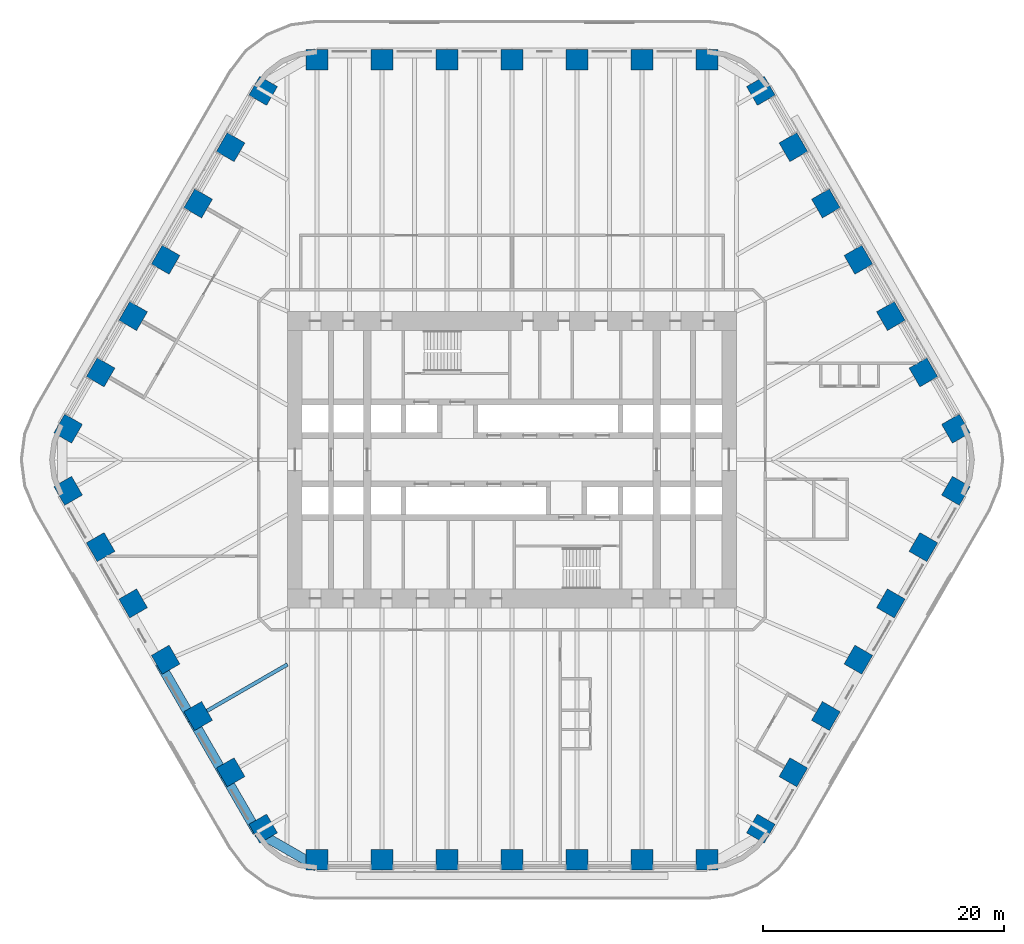
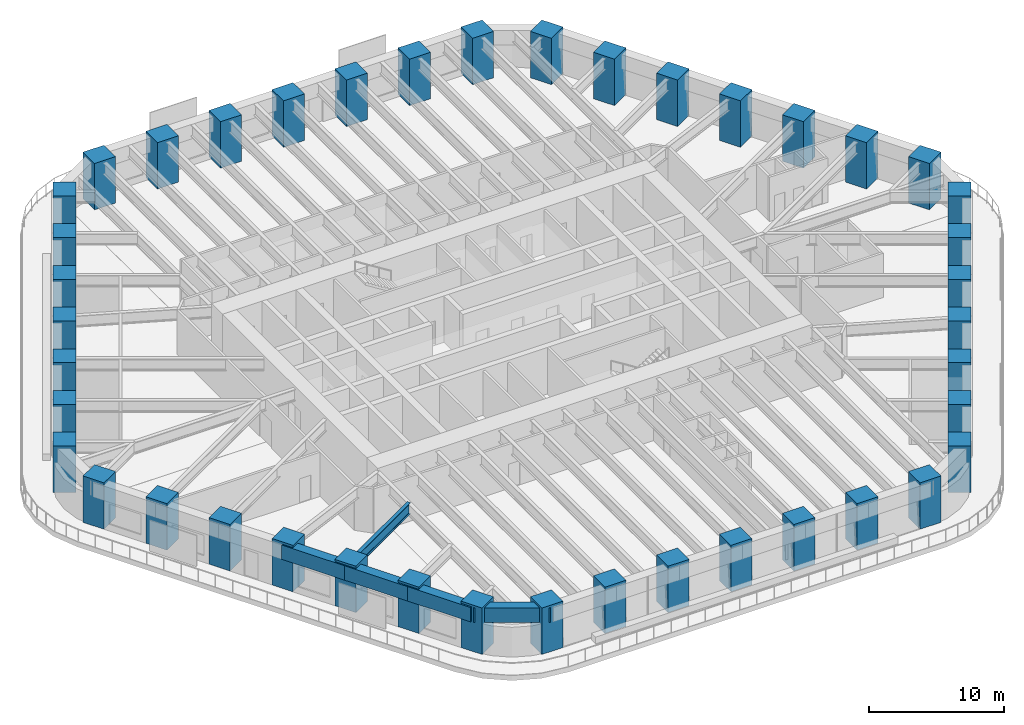
# One storey, part 1 of 24: 42 columns, 5 beams.
"""IFC4 building model written with IfcOpenShell, lengths in metres."""

from ifc_helpers import new_model, si_unit, direction, frame, origin, origin_2d, place, context, subcontext, project, spatial, rectangle, i_section, extrude, material, material_profile, profile_set, type_object, element, save


model = new_model("IFC4")

# Units and contexts
model_context = context("Model", 3, precision=1e-05, world=origin(), true_north=direction((0.0, 1.0)))
body_context = subcontext(model_context, "Body", "Model", "MODEL_VIEW")
ifc_project = project(units=[si_unit("LENGTHUNIT", "METRE"), si_unit("AREAUNIT", "SQUARE_METRE"), si_unit("VOLUMEUNIT", "CUBIC_METRE"), si_unit("PLANEANGLEUNIT", "RADIAN"), si_unit("MASSUNIT", "GRAM", prefix="KILO")], contexts=[model_context])

# Site, building, storey
site_placement = place(None, origin())
site = spatial("IfcSite", under=ifc_project, at=site_placement, CompositionType="ELEMENT")
building_placement = place(site_placement, origin())
building = spatial("IfcBuilding", under=site, at=building_placement, Name="Tarfa Lantern Tower", CompositionType="ELEMENT")
storey_placement = place(building_placement, frame((0.0, 0.0, 94.89990234375)))
storey = spatial("IfcBuildingStorey", under=building, at=storey_placement, Name="L21", CompositionType="ELEMENT", Elevation=94.89990234375)

# Columns
ifc_material_1 = material(Name="Concrete C80/95", Category="concrete")
ifc_material_profile_1 = material_profile(ifc_material_1, rectangle(XDim=1.800048828125, YDim=1.699951171875, at=origin_2d()), Name="RC 1800x1700")
ifc_profile_set_1 = profile_set([ifc_material_profile_1], Name="Concrete C80/95")
column_type = type_object("IfcColumnType", Name="TC4 RC 1800x1700", PredefinedType="COLUMN", material=ifc_profile_set_1)
for number, where, z_axis, x_axis, name in (
    (1, (36.791748046875, 2.574951171875, 0.0), (0.0, 0.0, 1.0), (-0.5, 0.866025403784, 0.0), "Tube column NE0"),
    (2, (34.097412109375, 7.24169921875, 0.0), (0.0, 0.0, 1.0), (-0.5, 0.866025403784, 0.0), "Tube column NE1"),
    (3, (31.403076171875, 11.908447265625, 0.0), (0.0, 0.0, 1.0), (-0.5, 0.866025403784, 0.0), "Tube column NE2"),
    (4, (28.708740234375, 16.574951171875, 0.0), (0.0, 0.0, 1.0), (-0.5, 0.866025403784, 0.0), "Tube column NE3"),
    (5, (26.014404296875, 21.24169921875, 0.0), (0.0, 0.0, 1.0), (-0.5, 0.866025403784, 0.0), "Tube column NE4"),
    (6, (23.320068359375, 25.908447265625, 0.0), (0.0, 0.0, 1.0), (-0.5, 0.866025403784, 0.0), "Tube column NE5"),
    (7, (20.625732421875, 30.574951171875, 0.0), (0.0, 0.0, 1.0), (-0.5, 0.866025403784, 0.0), "Tube column NE6"),
    (8, (16.165771484375, 33.14990234375, 0.0), (0.0, 0.0, 1.0), (-1.0, 0.0, 0.0), "Tube column N0"),
    (9, (10.777099609375, 33.14990234375, 0.0), (0.0, 0.0, 1.0), (-1.0, 0.0, 0.0), "Tube column N1"),
    (10, (5.388671875, 33.14990234375, 0.0), (0.0, 0.0, 1.0), (-1.0, 0.0, 0.0), "Tube column N2"),
    (11, (0.0, 33.14990234375, 0.0), (0.0, 0.0, 1.0), (-1.0, 0.0, 0.0), "Tube column N3"),
    (12, (-5.388671875, 33.14990234375, 0.0), (0.0, 0.0, 1.0), (-1.0, 0.0, 0.0), "Tube column N4"),
    (13, (-10.777099609375, 33.14990234375, 0.0), (0.0, 0.0, 1.0), (-1.0, 0.0, 0.0), "Tube column N5"),
    (14, (-16.165771484375, 33.14990234375, 0.0), (0.0, 0.0, 1.0), (-1.0, 0.0, 0.0), "Tube column N6"),
    (15, (-20.625732421875, 30.574951171875, 0.0), (0.0, 0.0, 1.0), (-0.5, -0.866025403784, 0.0), "Tube column NW0"),
    (16, (-23.320068359375, 25.908447265625, 0.0), (0.0, 0.0, 1.0), (-0.5, -0.866025403784, 0.0), "Tube column NW1"),
    (17, (-26.014404296875, 21.24169921875, 0.0), (0.0, 0.0, 1.0), (-0.5, -0.866025403784, 0.0), "Tube column NW2"),
    (18, (-28.708740234375, 16.574951171875, 0.0), (0.0, 0.0, 1.0), (-0.5, -0.866025403784, 0.0), "Tube column NW3"),
    (19, (-31.403076171875, 11.908447265625, 0.0), (0.0, 0.0, 1.0), (-0.5, -0.866025403784, 0.0), "Tube column NW4"),
    (20, (-34.097412109375, 7.24169921875, 0.0), (0.0, 0.0, 1.0), (-0.5, -0.866025403784, 0.0), "Tube column NW5"),
    (21, (-36.791748046875, 2.574951171875, 0.0), (0.0, 0.0, 1.0), (-0.5, -0.866025403784, 0.0), "Tube column NW6"),
    (22, (-36.791748046875, -2.574951171875, 0.0), (0.0, 0.0, 1.0), (0.5, -0.866025403784, 0.0), "Tube column SW0"),
    (23, (-34.097412109375, -7.24169921875, 0.0), (0.0, 0.0, 1.0), (0.5, -0.866025403784, 0.0), "Tube column SW1"),
    (24, (-31.403076171875, -11.908447265625, 0.0), (0.0, 0.0, 1.0), (0.5, -0.866025403784, 0.0), "Tube column SW2"),
    (25, (-28.708740234375, -16.574951171875, 0.0), (0.0, 0.0, 1.0), (0.5, -0.866025403784, 0.0), "Tube column SW3"),
    (26, (-26.014404296875, -21.24169921875, 0.0), (0.0, 0.0, 1.0), (0.5, -0.866025403784, 0.0), "Tube column SW4"),
    (27, (-23.320068359375, -25.908447265625, 0.0), (0.0, 0.0, 1.0), (0.5, -0.866025403784, 0.0), "Tube column SW5"),
    (28, (-20.625732421875, -30.574951171875, 0.0), (0.0, 0.0, 1.0), (0.5, -0.866025403784, 0.0), "Tube column SW6"),
    (29, (-16.165771484375, -33.14990234375, 0.0), (0.0, 0.0, 1.0), (1.0, 0.0, 0.0), "Tube column S0"),
    (30, (-10.777099609375, -33.14990234375, 0.0), (0.0, 0.0, 1.0), (1.0, 0.0, 0.0), "Tube column S1"),
    (31, (-5.388671875, -33.14990234375, 0.0), (0.0, 0.0, 1.0), (1.0, 0.0, 0.0), "Tube column S2"),
    (32, (0.0, -33.14990234375, 0.0), (0.0, 0.0, 1.0), (1.0, 0.0, 0.0), "Tube column S3"),
    (33, (5.388671875, -33.14990234375, 0.0), (0.0, 0.0, 1.0), (1.0, 0.0, 0.0), "Tube column S4"),
    (34, (10.777099609375, -33.14990234375, 0.0), (0.0, 0.0, 1.0), (1.0, 0.0, 0.0), "Tube column S5"),
    (35, (16.165771484375, -33.14990234375, 0.0), (0.0, 0.0, 1.0), (1.0, 0.0, 0.0), "Tube column S6"),
    (36, (20.625732421875, -30.574951171875, 0.0), (0.0, 0.0, 1.0), (0.5, 0.866025403784, 0.0), "Tube column SE0"),
    (37, (23.320068359375, -25.908447265625, 0.0), (0.0, 0.0, 1.0), (0.5, 0.866025403784, 0.0), "Tube column SE1"),
    (38, (26.014404296875, -21.24169921875, 0.0), (0.0, 0.0, 1.0), (0.5, 0.866025403784, 0.0), "Tube column SE2"),
    (39, (28.708740234375, -16.574951171875, 0.0), (0.0, 0.0, 1.0), (0.5, 0.866025403784, 0.0), "Tube column SE3"),
    (40, (31.403076171875, -11.908447265625, 0.0), (0.0, 0.0, 1.0), (0.5, 0.866025403784, 0.0), "Tube column SE4"),
    (41, (34.097412109375, -7.24169921875, 0.0), (0.0, 0.0, 1.0), (0.5, 0.866025403784, 0.0), "Tube column SE5"),
    (42, (36.791748046875, -2.574951171875, 0.0), (0.0, 0.0, 1.0), (0.5, 0.866025403784, 0.0), "Tube column SE6"),
):
    element("IfcColumn", number, at=place(storey_placement, frame(where, z_axis=z_axis, x_axis=x_axis)), inside=storey, type_object=column_type, Name=name, PredefinedType="COLUMN", context=body_context, shape_type="SweptSolid", body=[
        extrude(rectangle(XDim=1.800048828125, YDim=1.699951171875, at=origin_2d()), origin(), (0.0, 0.0, 1.0), 4.2001953125),
    ])

# Beams
ifc_material_profile_2 = material_profile(ifc_material_1, rectangle(XDim=0.800048828125, YDim=1.300048828125, at=origin_2d()), Name="RC 800x1300")
ifc_profile_set_2 = profile_set([ifc_material_profile_2], Name="Concrete C80/95")
beam_type_1 = type_object("IfcBeamType", Name="EB1 RC 800x1300", PredefinedType="SPANDREL", material=ifc_profile_set_2)
beam_1_placement = place(storey_placement, frame((-29.202392578125, -16.860107421875, 3.35009765625), z_axis=(0.500017906299, -0.866015065331, 0.0), x_axis=(0.866015065331, 0.500017906299, 0.0)))
element("IfcBeam", 43, at=beam_1_placement, inside=storey, type_object=beam_type_1, Name="Edge beam SW3", PredefinedType="SPANDREL", context=body_context, shape_type="SweptSolid", body=[
    extrude(rectangle(XDim=0.800048828125, YDim=1.300048828125, at=origin_2d()), origin(), (0.0, 0.0, 1.0), 5.388427734375),
])
for number, where, z_axis, x_axis, name in (
    (44, (-26.508056640625, -21.526611328125, 3.35009765625), (0.499998287579, -0.866026392449, 0.0), (0.866026392449, 0.499998287579, 0.0), "Edge beam SW4"),
    (45, (-23.813720703125, -26.193359375, 3.35009765625), (0.499998287579, -0.866026392449, 0.0), (0.866026392449, 0.499998287579, 0.0), "Edge beam SW5"),
):
    element("IfcBeam", number, at=place(storey_placement, frame(where, z_axis=z_axis, x_axis=x_axis)), inside=storey, type_object=beam_type_1, Name=name, PredefinedType="SPANDREL", context=body_context, shape_type="SweptSolid", body=[
        extrude(rectangle(XDim=0.800048828125, YDim=1.300048828125, at=origin_2d()), origin(), (0.0, 0.0, 1.0), 5.388671875),
    ])
beam_2_placement = place(storey_placement, frame((-21.119384765625, -30.860107421875, 3.35009765625), z_axis=(0.866033479681, -0.499986011877, 0.0), x_axis=(0.499986011877, 0.866033479681, 0.0)))
element("IfcBeam", 46, at=beam_2_placement, inside=storey, type_object=beam_type_1, Name="Edge beam SW6", PredefinedType="SPANDREL", context=body_context, shape_type="SweptSolid", body=[
    extrude(rectangle(XDim=0.800048828125, YDim=1.300048828125, at=origin_2d()), origin(), (0.0, 0.0, 1.0), 5.719970703125),
])
ifc_material_2 = material(Name="Steel S460M", Category="steel")
ifc_material_profile_3 = material_profile(ifc_material_2, i_section(OverallWidth=0.302001953125, OverallDepth=1.008056640625, WebThickness=0.02099609375, FlangeThickness=0.0400390625, FilletRadius=0.030029296875, at=origin_2d()), Name="UB1016x305x349")
ifc_profile_set_3 = profile_set([ifc_material_profile_3], Name="Steel S460M")
beam_type_2 = type_object("IfcBeamType", Name="UB1016x305x349", PredefinedType="BEAM", material=ifc_profile_set_3)
beam_3_placement = place(storey_placement, frame((-26.508056640625, -21.526611328125, 3.49609375), z_axis=(0.866035355799, 0.49998276221, 0.0), x_axis=(-0.49998276221, 0.866035355799, 0.0)))
element("IfcBeam", 47, at=beam_3_placement, inside=storey, type_object=beam_type_2, Name="Floor beam SW4", PredefinedType="BEAM", context=body_context, shape_type="SweptSolid", body=[
    extrude(i_section(OverallWidth=0.302001953125, OverallDepth=1.008056640625, WebThickness=0.02099609375, FlangeThickness=0.0400390625, FilletRadius=0.030029296875, at=origin_2d()), origin(), (0.0, 0.0, 1.0), 9.119873046875),
])

save(model, "model.ifc")
